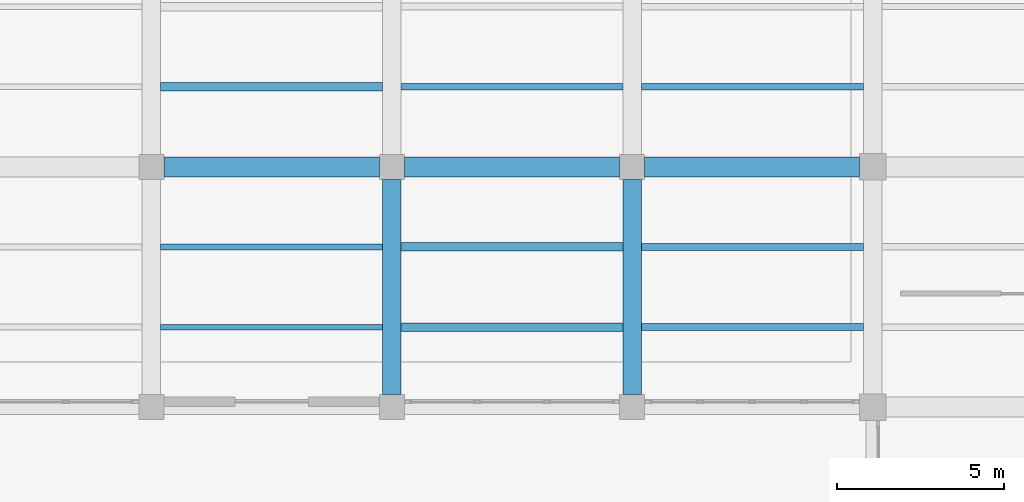
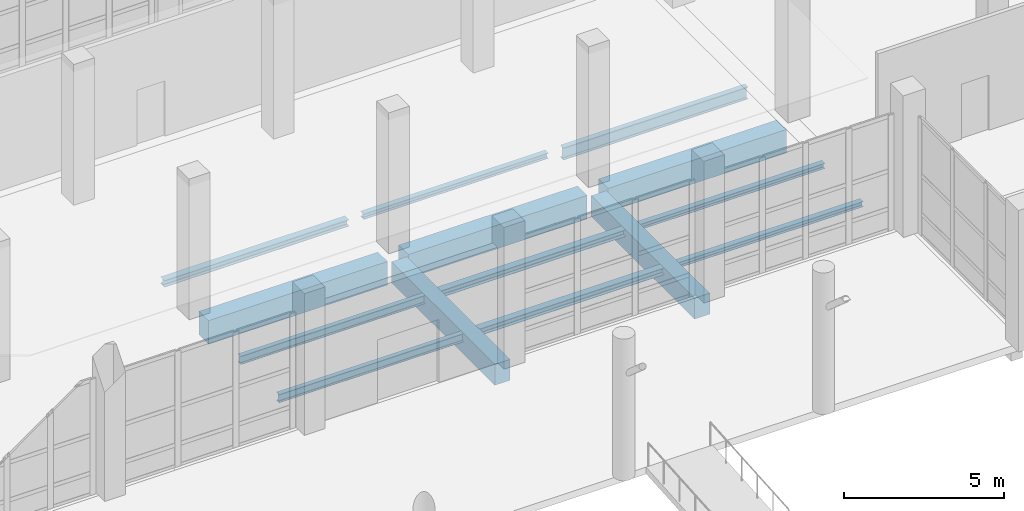
# One storey, part 33 of 137: 14 beams.
"""IFC4 building model written with IfcOpenShell, lengths in metres."""

from ifc_helpers import new_model, si_unit, direction, frame, origin, origin_2d, place, context, subcontext, project, spatial, rectangle, i_section, extrude, material, material_profile, profile_set, type_object, element, save


model = new_model("IFC4")

# Units and contexts
model_context = context("Model", 3, precision=1e-05, world=origin(), true_north=direction((0.0, 1.0)))
body_context = subcontext(model_context, "Body", "Model", "MODEL_VIEW")
ifc_project = project(units=[si_unit("LENGTHUNIT", "METRE"), si_unit("AREAUNIT", "SQUARE_METRE"), si_unit("VOLUMEUNIT", "CUBIC_METRE"), si_unit("PLANEANGLEUNIT", "RADIAN"), si_unit("MASSUNIT", "GRAM", prefix="KILO")], contexts=[model_context])

# Site, building, storey
site_placement = place(None, origin())
site = spatial("IfcSite", under=ifc_project, at=site_placement, CompositionType="ELEMENT")
building_placement = place(site_placement, origin())
building = spatial("IfcBuilding", under=site, at=building_placement, Name="Kalmorath City Hall", CompositionType="ELEMENT")
storey_placement = place(building_placement, origin())
storey = spatial("IfcBuildingStorey", under=building, at=storey_placement, Name="L00", CompositionType="ELEMENT", Elevation=0.0)

# Beams
ifc_material_1 = material(Name="Concrete C40/50", Category="concrete")
ifc_material_profile_1 = material_profile(ifc_material_1, rectangle(XDim=0.550048828125, YDim=0.800048828125, at=origin_2d()), Name="RC-BM-550X800")
ifc_profile_set_1 = profile_set([ifc_material_profile_1], Name="Concrete C40/50")
beam_type_1 = type_object("IfcBeamType", Name="Concrete floor girder 550x800", PredefinedType="BEAM", material=ifc_profile_set_1)
for number, where, z_axis, x_axis, name in (
    (1, (100.800048828125, 21.97509765625, -0.7041015625), (0.0, 1.0, 0.0), (-1.0, 0.0, 0.0), "L00 girder CB2 Y15/4-5"),
    (2, (108.0, 21.97509765625, -0.7041015625), (0.0, 1.0, 0.0), (-1.0, 0.0, 0.0), "L00 girder CB2 Y16/4-5"),
):
    element("IfcBeam", number, at=place(storey_placement, frame(where, z_axis=z_axis, x_axis=x_axis)), inside=storey, type_object=beam_type_1, Name=name, PredefinedType="BEAM", context=body_context, shape_type="SweptSolid", body=[
        extrude(rectangle(XDim=0.550048828125, YDim=0.800048828125, at=origin_2d()), origin(), (0.0, 0.0, 1.0), 6.449951171875),
    ])
ifc_material_2 = material(Name="Concrete C40/50", Category="concrete")
ifc_material_profile_2 = material_profile(ifc_material_2, rectangle(XDim=0.60009765625, YDim=0.89990234375, at=origin_2d()), Name="RC-BM-600X900")
ifc_profile_set_2 = profile_set([ifc_material_profile_2], Name="Concrete C40/50")
beam_type_2 = type_object("IfcBeamType", Name="Concrete floor girder 600x900", PredefinedType="BEAM", material=ifc_profile_set_2)
for number, where, z_axis, x_axis, name in (
    (3, (93.97509765625, 28.800048828125, -0.75390625), (1.0, 0.0, 0.0), (0.0, 1.0, 0.0), "L00 girder CB1 X14-15/5"),
    (4, (101.175048828125, 28.800048828125, -0.75390625), (1.0, 0.0, 0.0), (0.0, 1.0, 0.0), "L00 girder CB1 X15-16/5"),
):
    element("IfcBeam", number, at=place(storey_placement, frame(where, z_axis=z_axis, x_axis=x_axis)), inside=storey, type_object=beam_type_2, Name=name, PredefinedType="BEAM", context=body_context, shape_type="SweptSolid", body=[
        extrude(rectangle(XDim=0.60009765625, YDim=0.89990234375, at=origin_2d()), origin(), (0.0, 0.0, 1.0), 6.449951171875),
    ])
beam_1_placement = place(storey_placement, frame((108.375, 28.800048828125, -0.75390625), z_axis=(1.0, 0.0, 0.0), x_axis=(0.0, 1.0, 0.0)))
element("IfcBeam", 5, at=beam_1_placement, inside=storey, type_object=beam_type_2, Name="L00 girder CB1 X16-17/5", PredefinedType="BEAM", context=body_context, shape_type="SweptSolid", body=[
    extrude(rectangle(XDim=0.60009765625, YDim=0.89990234375, at=origin_2d()), origin(), (0.0, 0.0, 1.0), 6.425048828125),
])
ifc_material_3 = material(Name="Steel ASTM A992 Grade 50", Category="steel")
ifc_material_profile_3 = material_profile(ifc_material_3, i_section(OverallWidth=0.193115234375, OverallDepth=0.466064453125, WebThickness=0.011474609375, FlangeThickness=0.01904296875, FilletRadius=0.013916015625, at=origin_2d()), Name="W18X65")
ifc_profile_set_3 = profile_set([ifc_material_profile_3], Name="Steel ASTM A992 Grade 50")
beam_type_3 = type_object("IfcBeamType", Name="Steel composite joist W18X65", PredefinedType="JOIST", material=ifc_profile_set_3)
beam_2_placement = place(storey_placement, frame((108.27490234375, 31.199951171875, -0.537109375), z_axis=(1.0, 0.0, 0.0), x_axis=(0.0, 1.0, 0.0)))
element("IfcBeam", 6, at=beam_2_placement, inside=storey, type_object=beam_type_3, Name="L00 joist SJ1 16.5.1", PredefinedType="JOIST", context=body_context, shape_type="SweptSolid", body=[
    extrude(i_section(OverallWidth=0.193115234375, OverallDepth=0.466064453125, WebThickness=0.011474609375, FlangeThickness=0.01904296875, FilletRadius=0.013916015625, at=origin_2d()), origin(), (0.0, 0.0, 1.0), 6.650146484375),
])
ifc_material_4 = material(Name="Steel ASTM A992 Grade 50", Category="steel")
ifc_material_profile_4 = material_profile(ifc_material_4, i_section(OverallWidth=0.202880859375, OverallDepth=0.202880859375, WebThickness=0.007080078125, FlangeThickness=0.010986328125, FilletRadius=0.010986328125, at=origin_2d()), Name="W8X31")
ifc_profile_set_4 = profile_set([ifc_material_profile_4], Name="Steel ASTM A992 Grade 50")
beam_type_4 = type_object("IfcBeamType", Name="Steel edge trimmer W8X31", PredefinedType="LINTEL", material=ifc_profile_set_4)
for number, where, z_axis, x_axis, name in (
    (7, (101.074951171875, 31.199951171875, -0.405517578125), (1.0, 0.0, 0.0), (0.0, 1.0, 0.0), "L00 joist SJ16 15.5.1"),
    (8, (108.27490234375, 24.0, -0.405517578125), (1.0, 0.0, 0.0), (0.0, 1.0, 0.0), "L00 joist SJ16 16.4.1"),
    (9, (108.27490234375, 26.39990234375, -0.405517578125), (1.0, 0.0, 0.0), (0.0, 1.0, 0.0), "L00 joist SJ16 16.4.2"),
):
    element("IfcBeam", number, at=place(storey_placement, frame(where, z_axis=z_axis, x_axis=x_axis)), inside=storey, type_object=beam_type_4, Name=name, PredefinedType="LINTEL", context=body_context, shape_type="SweptSolid", body=[
        extrude(i_section(OverallWidth=0.202880859375, OverallDepth=0.202880859375, WebThickness=0.007080078125, FlangeThickness=0.010986328125, FilletRadius=0.010986328125, at=origin_2d()), origin(), (0.0, 0.0, 1.0), 6.650146484375),
    ])
ifc_material_5 = material(Name="Steel ASTM A992 Grade 50", Category="steel")
ifc_material_profile_5 = material_profile(ifc_material_5, i_section(OverallWidth=0.1669921875, OverallDepth=0.318115234375, WebThickness=0.007568359375, FlangeThickness=0.01318359375, FilletRadius=0.012939453125, at=origin_2d()), Name="W12X35")
ifc_profile_set_5 = profile_set([ifc_material_profile_5], Name="Steel ASTM A992 Grade 50")
beam_type_5 = type_object("IfcBeamType", Name="Steel header lintel W12X35", PredefinedType="LINTEL", material=ifc_profile_set_5)
for number, where, z_axis, x_axis, name in (
    (10, (93.875, 24.0, -0.462890625), (1.0, 0.0, 0.0), (0.0, 1.0, 0.0), "L00 joist SJ13 14.4.1"),
    (11, (93.875, 26.39990234375, -0.462890625), (1.0, 0.0, 0.0), (0.0, 1.0, 0.0), "L00 joist SJ13 14.4.2"),
):
    element("IfcBeam", number, at=place(storey_placement, frame(where, z_axis=z_axis, x_axis=x_axis)), inside=storey, type_object=beam_type_5, Name=name, PredefinedType="LINTEL", context=body_context, shape_type="SweptSolid", body=[
        extrude(i_section(OverallWidth=0.1669921875, OverallDepth=0.318115234375, WebThickness=0.007568359375, FlangeThickness=0.01318359375, FilletRadius=0.012939453125, at=origin_2d()), origin(), (0.0, 0.0, 1.0), 6.64990234375),
    ])
ifc_material_6 = material(Name="Steel ASTM A992 Grade 50", Category="steel")
ifc_material_profile_6 = material_profile(ifc_material_6, i_section(OverallWidth=0.25390625, OverallDepth=0.2529296875, WebThickness=0.008544921875, FlangeThickness=0.01416015625, FilletRadius=0.011962890625, at=origin_2d()), Name="W10X49")
ifc_profile_set_6 = profile_set([ifc_material_profile_6], Name="Steel ASTM A992 Grade 50")
beam_type_6 = type_object("IfcBeamType", Name="Steel trimmer beam W10X49", PredefinedType="BEAM", material=ifc_profile_set_6)
beam_3_placement = place(storey_placement, frame((93.875, 31.199951171875, -0.430419921875), z_axis=(1.0, 0.0, 0.0), x_axis=(0.0, 1.0, 0.0)))
element("IfcBeam", 12, at=beam_3_placement, inside=storey, type_object=beam_type_6, Name="L00 joist SJ14 14.5.1", PredefinedType="BEAM", context=body_context, shape_type="SweptSolid", body=[
    extrude(i_section(OverallWidth=0.25390625, OverallDepth=0.2529296875, WebThickness=0.008544921875, FlangeThickness=0.01416015625, FilletRadius=0.011962890625, at=origin_2d()), origin(), (0.0, 0.0, 1.0), 6.64990234375),
])
for number, where, z_axis, x_axis, name in (
    (13, (101.074951171875, 24.0, -0.430419921875), (1.0, 0.0, 0.0), (0.0, 1.0, 0.0), "L00 joist SJ14 15.4.1"),
    (14, (101.074951171875, 26.39990234375, -0.430419921875), (1.0, 0.0, 0.0), (0.0, 1.0, 0.0), "L00 joist SJ14 15.4.2"),
):
    element("IfcBeam", number, at=place(storey_placement, frame(where, z_axis=z_axis, x_axis=x_axis)), inside=storey, type_object=beam_type_6, Name=name, PredefinedType="BEAM", context=body_context, shape_type="SweptSolid", body=[
        extrude(i_section(OverallWidth=0.25390625, OverallDepth=0.2529296875, WebThickness=0.008544921875, FlangeThickness=0.01416015625, FilletRadius=0.011962890625, at=origin_2d()), origin(), (0.0, 0.0, 1.0), 6.650146484375),
    ])

save(model, "model.ifc")
